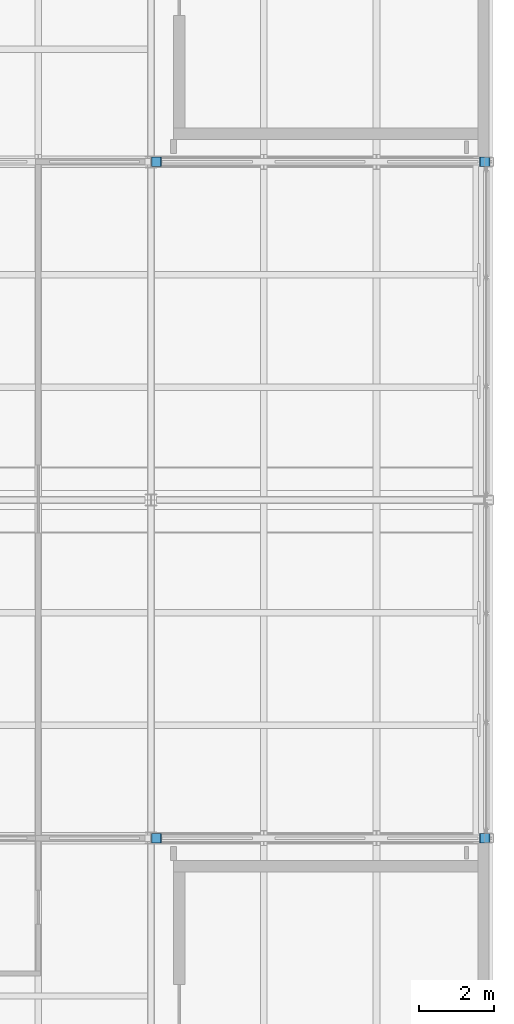
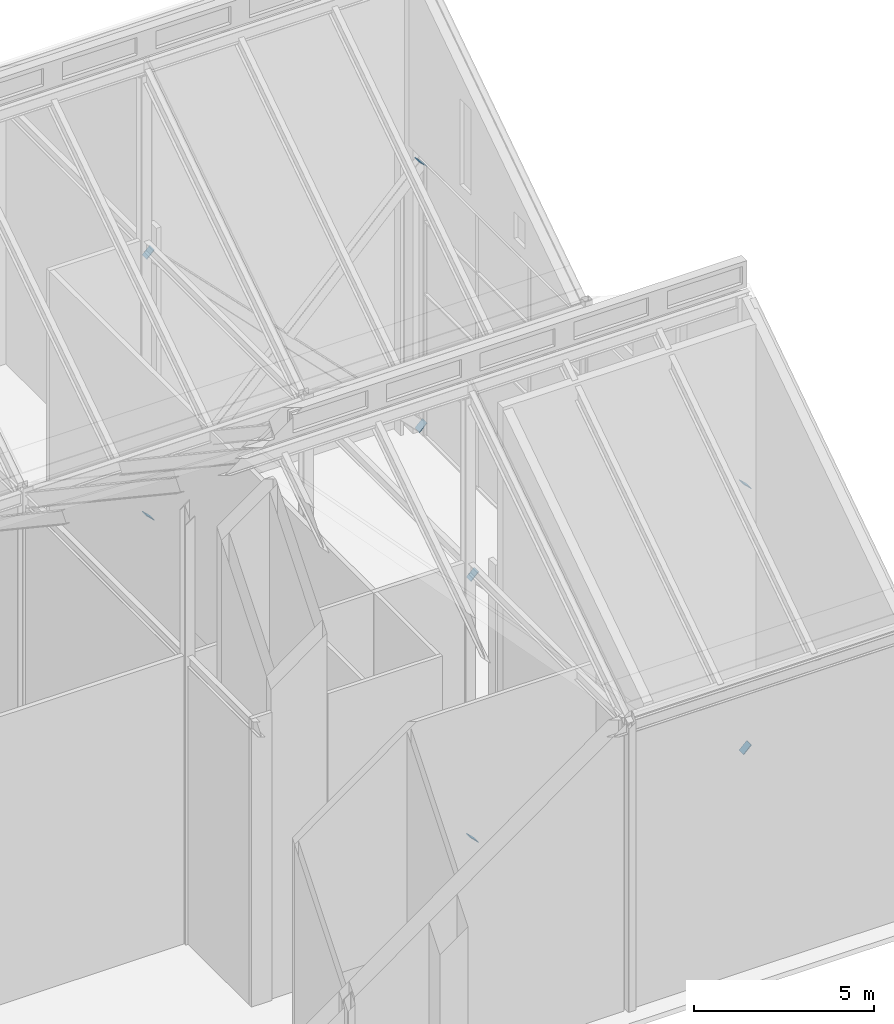
# One storey, part 104 of 111: 8 discrete accessories.
"""IFC4 building model written with IfcOpenShell, lengths in metres."""

from ifc_helpers import new_model, si_unit, direction, frame, origin, place, context, subcontext, project, spatial, polyline, outline, extrude, material, layer, layer_set, type_object, element, save


model = new_model("IFC4")

# Units and contexts
model_context = context("Model", 3, precision=1e-05, world=origin(), true_north=direction((0.0, 1.0)))
body_context = subcontext(model_context, "Body", "Model", "MODEL_VIEW")
ifc_project = project(units=[si_unit("LENGTHUNIT", "METRE"), si_unit("AREAUNIT", "SQUARE_METRE"), si_unit("VOLUMEUNIT", "CUBIC_METRE"), si_unit("PLANEANGLEUNIT", "RADIAN"), si_unit("MASSUNIT", "GRAM", prefix="KILO")], contexts=[model_context])

# Site, building, storey
site_placement = place(None, origin())
site = spatial("IfcSite", under=ifc_project, at=site_placement, CompositionType="ELEMENT")
building_placement = place(site_placement, origin())
building = spatial("IfcBuilding", under=site, at=building_placement, Name="Shorebreak Coast Museum", CompositionType="ELEMENT")
storey_placement = place(building_placement, frame((0.0, 0.0, 16.0)))
storey = spatial("IfcBuildingStorey", under=building, at=storey_placement, Name="L03", CompositionType="ELEMENT", Elevation=16.0)

# Discrete accessories
ifc_material = material(Name="Steel Grade 300", Category="steel")
ifc_layer = layer(ifc_material, 0.02490234375)
ifc_layer_set = layer_set([ifc_layer], Name="Steel Grade 300")
discrete_accessory_type = type_object("IfcDiscreteAccessoryType", Name="End plate 250 x 350 x 25", PredefinedType="BRACKET", material=ifc_layer_set)
for number, where, z_axis, x_axis, name in (
    (1, (162.277587890625, 62.875, 0.177490234375), (0.699394845738, 0.0, 0.71473551035), (0.0, 1.0, 0.0), "End plate X-brace bay 07 L03 diagonal 1 end 1"),
    (2, (171.017578125, 62.875, 9.10546875), (0.699394845738, 0.0, 0.71473551035), (0.0, 1.0, 0.0), "End plate X-brace bay 07 L03 diagonal 1 end 2"),
):
    element("IfcDiscreteAccessory", number, at=place(storey_placement, frame(where, z_axis=z_axis, x_axis=x_axis)), inside=storey, type_object=discrete_accessory_type, Name=name, PredefinedType="BRACKET", context=body_context, shape_type="SweptSolid", body=[
        extrude(outline(polyline([(0.0, 0.0), (0.25, 0.0), (0.25, 0.3501213204062139), (0.0, 0.3501213204062139), (0.0, 0.0)])), origin(), (0.0, 0.0, -1.0), 0.02490234375),
    ])
for number, where, z_axis, x_axis, name in (
    (3, (170.75, 63.125, 0.177490234375), (-0.699743505668, 0.0, 0.714394167302), (0.0, -1.0, 0.0), "End plate X-brace bay 07 L03 diagonal 2 end 1"),
    (4, (162.010009765625, 63.125, 9.10546875), (-0.699743505668, 0.0, 0.714394167302), (0.0, -1.0, 0.0), "End plate X-brace bay 07 L03 diagonal 2 end 2"),
):
    element("IfcDiscreteAccessory", number, at=place(storey_placement, frame(where, z_axis=z_axis, x_axis=x_axis)), inside=storey, type_object=discrete_accessory_type, Name=name, PredefinedType="BRACKET", context=body_context, shape_type="SweptSolid", body=[
        extrude(outline(polyline([(0.0, 0.0), (0.25, 0.0), (0.25, 0.3499468660894764), (0.0, 0.3499468660894764), (0.0, 0.0)])), origin(), (0.0, 0.0, -1.0), 0.02490234375),
    ])
for number, where, z_axis, x_axis, name in (
    (5, (162.277587890625, 80.875, 0.177490234375), (0.699394845738, 0.0, 0.71473551035), (0.0, 1.0, 0.0), "End plate X-brace bay 08 L03 diagonal 1 end 1"),
    (6, (171.017578125, 80.875, 9.10546875), (0.699394845738, 0.0, 0.71473551035), (0.0, 1.0, 0.0), "End plate X-brace bay 08 L03 diagonal 1 end 2"),
):
    element("IfcDiscreteAccessory", number, at=place(storey_placement, frame(where, z_axis=z_axis, x_axis=x_axis)), inside=storey, type_object=discrete_accessory_type, Name=name, PredefinedType="BRACKET", context=body_context, shape_type="SweptSolid", body=[
        extrude(outline(polyline([(0.0, 0.0), (0.25, 0.0), (0.25, 0.3501213204062139), (0.0, 0.3501213204062139), (0.0, 0.0)])), origin(), (0.0, 0.0, -1.0), 0.02490234375),
    ])
for number, where, z_axis, x_axis, name in (
    (7, (170.75, 81.125, 0.177490234375), (-0.699743505668, 0.0, 0.714394167302), (0.0, -1.0, 0.0), "End plate X-brace bay 08 L03 diagonal 2 end 1"),
    (8, (162.010009765625, 81.125, 9.10546875), (-0.699743505668, 0.0, 0.714394167302), (0.0, -1.0, 0.0), "End plate X-brace bay 08 L03 diagonal 2 end 2"),
):
    element("IfcDiscreteAccessory", number, at=place(storey_placement, frame(where, z_axis=z_axis, x_axis=x_axis)), inside=storey, type_object=discrete_accessory_type, Name=name, PredefinedType="BRACKET", context=body_context, shape_type="SweptSolid", body=[
        extrude(outline(polyline([(0.0, 0.0), (0.25, 0.0), (0.25, 0.3499468660894764), (0.0, 0.3499468660894764), (0.0, 0.0)])), origin(), (0.0, 0.0, -1.0), 0.02490234375),
    ])

save(model, "model.ifc")
